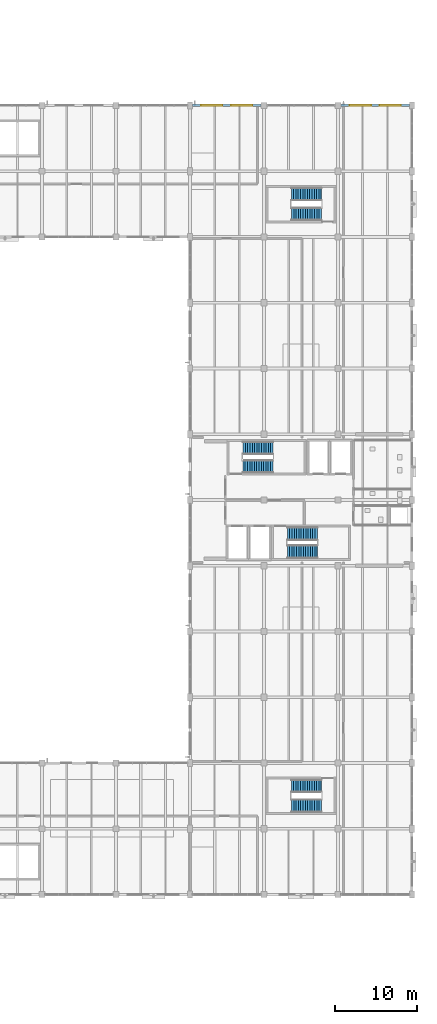
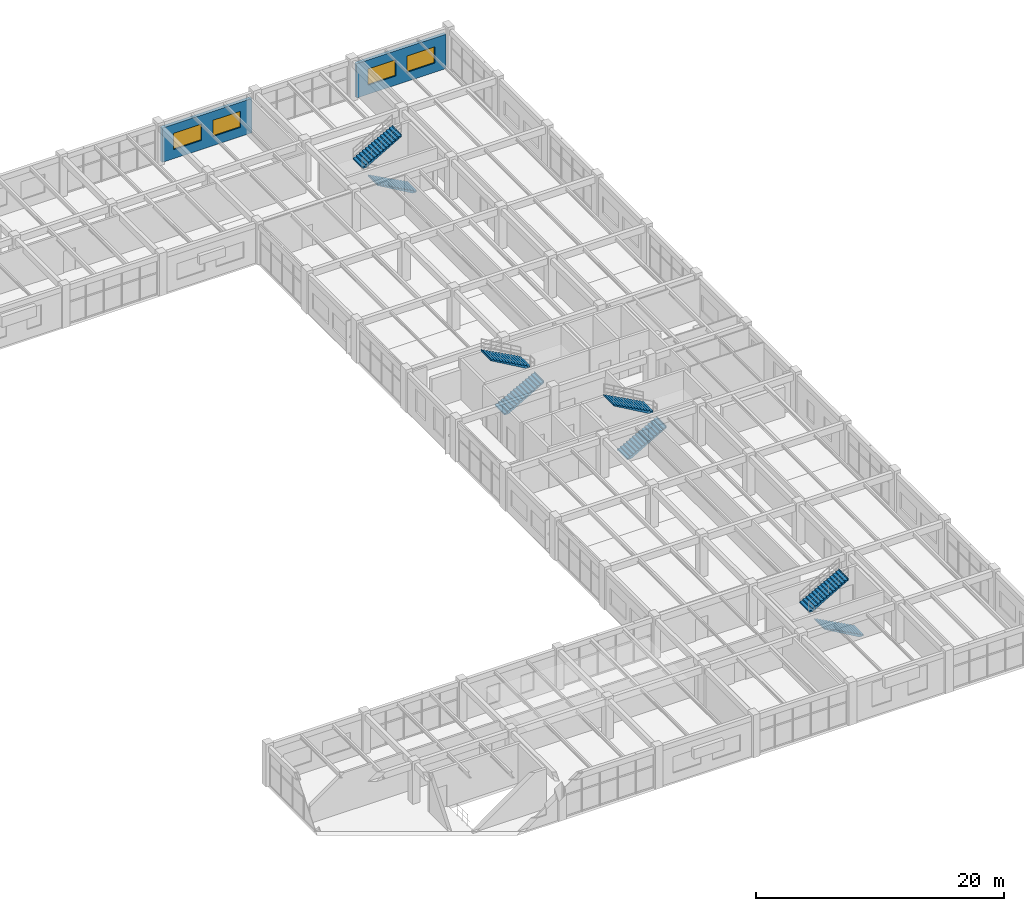
# One storey, part 114 of 128: 8 stair flights, 4 windows, 2 walls, 4 openings, 4 elements without a shape of their own.
"""IFC4 building model written with IfcOpenShell, lengths in metres."""

from ifc_helpers import new_model, si_unit, derived_unit, direction, frame, frame_2d, origin, place, context, subcontext, project, spatial, polyline, rectangle, outline, extrude, material, layer, layer_set, type_object, element, fill, aggregate, save


model = new_model("IFC4")

# Units and contexts
model_context = context("Model", 3, precision=1e-05, world=origin(), true_north=direction((0.0, 1.0)))
body_context = subcontext(model_context, "Body", "Model", "MODEL_VIEW")
ifc_project = project(units=[si_unit("LENGTHUNIT", "METRE"), si_unit("AREAUNIT", "SQUARE_METRE"), si_unit("VOLUMEUNIT", "CUBIC_METRE"), si_unit("PLANEANGLEUNIT", "RADIAN"), si_unit("MASSUNIT", "GRAM", prefix="KILO"), derived_unit("THERMALTRANSMITTANCEUNIT", [(si_unit("MASSUNIT", "GRAM", prefix="KILO"), 1), (si_unit("TIMEUNIT", "SECOND"), -3), (si_unit("THERMODYNAMICTEMPERATUREUNIT", "KELVIN"), -1)])], contexts=[model_context])

# Site, building, storey
site_placement = place(None, origin())
site = spatial("IfcSite", under=ifc_project, at=site_placement, CompositionType="ELEMENT")
building_placement = place(site_placement, origin())
building = spatial("IfcBuilding", under=site, at=building_placement, Name="Zhenchuan Archway Interchange", CompositionType="ELEMENT")
storey_placement = place(building_placement, frame((0.0, 0.0, 14.39990234375)))
storey = spatial("IfcBuildingStorey", under=building, at=storey_placement, Name="L03", CompositionType="ELEMENT", Elevation=14.39990234375)

# Wall, openings, windows
ifc_material_1 = material(Name="Terracotta Masonry", Category="masonry")
ifc_layer = layer(ifc_material_1, 0.300048828125)
ifc_layer_set = layer_set([ifc_layer], Name="Terracotta Masonry")
wall_type = type_object("IfcWallType", Name="EW_TERRA_300", PredefinedType="STANDARD", material=ifc_layer_set)
wall_1_placement = place(storey_placement, frame((144.298095703125, 104.0, 0.0), z_axis=(0.0, 0.0, 1.0), x_axis=(1.0, 0.0, 0.0)))
wall_1 = element("IfcWall", 1, at=wall_1_placement, inside=storey, type_object=wall_type, Name="Exterior wall L03-023", PredefinedType="STANDARD", context=body_context, shape_type="SweptSolid", body=[
    extrude(rectangle(XDim=8.328857421875, YDim=0.300048828125, at=frame_2d((4.16455078125, 0.0))), origin(), (0.0, 0.0, 1.0), 3.380126953125),
])
opening_1_placement = place(wall_1_placement, frame((1.04296875, 0.0, 0.89990234375)))
opening_1 = element("IfcOpeningElement", 2, at=opening_1_placement, cuts=wall_1, Name="Opening W-09", PredefinedType="OPENING", context=body_context, shape_type="SweptSolid", body=[
    extrude(rectangle(XDim=2.60009765625, YDim=1.60009765625, at=frame_2d((1.300048828125, 0.800048828125))), frame((0.0, 0.162109375, 0.0), z_axis=(0.0, -1.0, 0.0), x_axis=(1.0, 0.0, 0.0)), (0.0, 0.0, 1.0), 0.323974609375),
])
opening_2_placement = place(wall_1_placement, frame((4.68603515625, 0.0, 0.89990234375)))
opening_2 = element("IfcOpeningElement", 3, at=opening_2_placement, cuts=wall_1, Name="Opening W-09", PredefinedType="OPENING", context=body_context, shape_type="SweptSolid", body=[
    extrude(rectangle(XDim=2.60009765625, YDim=1.60009765625, at=frame_2d((1.300048828125, 0.800048828125))), frame((0.0, 0.162109375, 0.0), z_axis=(0.0, -1.0, 0.0), x_axis=(1.0, 0.0, 0.0)), (0.0, 0.0, 1.0), 0.323974609375),
])
ifc_material_2 = material(Name="Double Low-E Insulated Glazing", Category="glass")
window_type = type_object("IfcWindowType", Name="WN_MOD_2600x1600", PartitioningType="SINGLE_PANEL", PredefinedType="WINDOW", material=ifc_material_2)
window_1_placement = place(opening_1_placement, origin())
window_1 = element("IfcWindow", 4, at=window_1_placement, inside=storey, type_object=window_type, Name="Window L03-0285", OverallHeight=1.60009765625, OverallWidth=2.60009765625, PartitioningType="SINGLE_PANEL", PredefinedType="WINDOW", context=body_context, shape_type="SweptSolid", body=[
    extrude(rectangle(XDim=2.60009765625, YDim=1.60009765625, at=frame_2d((1.300048828125, 0.800048828125))), frame((0.0, 0.030029296875, 0.0), z_axis=(0.0, -1.0, 0.0), x_axis=(1.0, 0.0, 0.0)), (0.0, 0.0, 1.0), 0.06005859375),
])
fill(opening_1, window_1)
window_2_placement = place(opening_2_placement, origin())
window_2 = element("IfcWindow", 5, at=window_2_placement, inside=storey, type_object=window_type, Name="Window L03-0286", OverallHeight=1.60009765625, OverallWidth=2.60009765625, PartitioningType="SINGLE_PANEL", PredefinedType="WINDOW", context=body_context, shape_type="SweptSolid", body=[
    extrude(rectangle(XDim=2.60009765625, YDim=1.60009765625, at=frame_2d((1.300048828125, 0.800048828125))), frame((0.0, 0.030029296875, 0.0), z_axis=(0.0, -1.0, 0.0), x_axis=(1.0, 0.0, 0.0)), (0.0, 0.0, 1.0), 0.06005859375),
])
fill(opening_2, window_2)

wall_2_placement = place(storey_placement, frame((162.373046875, 104.0, 0.0), z_axis=(0.0, 0.0, 1.0), x_axis=(1.0, 0.0, 0.0)))
wall_2 = element("IfcWall", 6, at=wall_2_placement, inside=storey, type_object=wall_type, Name="Exterior wall L03-025", PredefinedType="STANDARD", context=body_context, shape_type="SweptSolid", body=[
    extrude(rectangle(XDim=8.328857421875, YDim=0.300048828125, at=frame_2d((4.16455078125, 0.0))), origin(), (0.0, 0.0, 1.0), 3.380126953125),
])
opening_3_placement = place(wall_2_placement, frame((1.04296875, 0.0, 0.89990234375)))
opening_3 = element("IfcOpeningElement", 7, at=opening_3_placement, cuts=wall_2, Name="Opening W-09", PredefinedType="OPENING", context=body_context, shape_type="SweptSolid", body=[
    extrude(rectangle(XDim=2.60009765625, YDim=1.60009765625, at=frame_2d((1.300048828125, 0.800048828125))), frame((0.0, 0.162109375, 0.0), z_axis=(0.0, -1.0, 0.0), x_axis=(1.0, 0.0, 0.0)), (0.0, 0.0, 1.0), 0.323974609375),
])
opening_4_placement = place(wall_2_placement, frame((4.68603515625, 0.0, 0.89990234375)))
opening_4 = element("IfcOpeningElement", 8, at=opening_4_placement, cuts=wall_2, Name="Opening W-09", PredefinedType="OPENING", context=body_context, shape_type="SweptSolid", body=[
    extrude(rectangle(XDim=2.60009765625, YDim=1.60009765625, at=frame_2d((1.300048828125, 0.800048828125))), frame((0.0, 0.162109375, 0.0), z_axis=(0.0, -1.0, 0.0), x_axis=(1.0, 0.0, 0.0)), (0.0, 0.0, 1.0), 0.323974609375),
])
window_3_placement = place(opening_3_placement, origin())
window_3 = element("IfcWindow", 9, at=window_3_placement, inside=storey, type_object=window_type, Name="Window L03-0287", OverallHeight=1.60009765625, OverallWidth=2.60009765625, PartitioningType="SINGLE_PANEL", PredefinedType="WINDOW", context=body_context, shape_type="SweptSolid", body=[
    extrude(rectangle(XDim=2.60009765625, YDim=1.60009765625, at=frame_2d((1.300048828125, 0.800048828125))), frame((0.0, 0.030029296875, 0.0), z_axis=(0.0, -1.0, 0.0), x_axis=(1.0, 0.0, 0.0)), (0.0, 0.0, 1.0), 0.06005859375),
])
fill(opening_3, window_3)
window_4_placement = place(opening_4_placement, origin())
window_4 = element("IfcWindow", 10, at=window_4_placement, inside=storey, type_object=window_type, Name="Window L03-0288", OverallHeight=1.60009765625, OverallWidth=2.60009765625, PartitioningType="SINGLE_PANEL", PredefinedType="WINDOW", context=body_context, shape_type="SweptSolid", body=[
    extrude(rectangle(XDim=2.60009765625, YDim=1.60009765625, at=frame_2d((1.300048828125, 0.800048828125))), frame((0.0, 0.030029296875, 0.0), z_axis=(0.0, -1.0, 0.0), x_axis=(1.0, 0.0, 0.0)), (0.0, 0.0, 1.0), 0.06005859375),
])
fill(opening_4, window_4)

# Stair, stair flights
ifc_material_3 = material(Name="Concrete C35", Category="concrete")
stair_type_1 = type_object("IfcStairType", Name="STR_HALF_1550", PredefinedType="HALF_TURN_STAIR", material=ifc_material_3)
stair_1_placement = place(storey_placement, origin())
stair_1 = element("IfcStair", 11, at=stair_1_placement, inside=storey, type_object=stair_type_1, Name="Stair ST-O1 (L03)", PredefinedType="HALF_TURN_STAIR")
stair_flight_type_1 = type_object("IfcStairFlightType", Name="SFL_1550", PredefinedType="STRAIGHT", material=ifc_material_3)
stair_flight_1_placement = place(storey_placement, frame((150.42431640625, 60.090087890625, 0.0), z_axis=(0.0, 0.0, 1.0), x_axis=(1.0, 0.0, 0.0)))
stair_flight_1 = element("IfcStairFlight", 12, at=stair_flight_1_placement, type_object=stair_flight_type_1, Name="Stair ST-O1 lower flight (L03)", NumberOfRisers=14, NumberOfTreads=13, PredefinedType="STRAIGHT", RiserHeight=0.15, TreadLength=0.28, context=body_context, shape_type="SweptSolid", body=[
    extrude(outline(polyline([(0.0, 0.0), (0.0, 0.14990234375), (0.280029296875, 0.14990234375), (0.280029296875, 0.300048828125), (0.56005859375, 0.300048828125), (0.56005859375, 0.449951171875), (0.840087890625, 0.449951171875), (0.840087890625, 0.60009765625), (1.1201171875, 0.60009765625), (1.1201171875, 0.75), (1.39990234375, 0.75), (1.39990234375, 0.89990234375), (1.679931640625, 0.89990234375), (1.679931640625, 1.050048828125), (1.9599609375, 1.050048828125), (1.9599609375, 1.199951171875), (2.239990234375, 1.199951171875), (2.239990234375, 1.35009765625), (2.52001953125, 1.35009765625), (2.52001953125, 1.5), (2.800048828125, 1.5), (2.800048828125, 1.64990234375), (3.080078125, 1.64990234375), (3.080078125, 1.800048828125), (3.360107421875, 1.800048828125), (3.360107421875, 1.949951171875), (3.639892578125, 1.949951171875), (3.639892578125, 2.10009765625), (3.6611328125, 2.10009765625), (3.6611328125, 1.89599609375), (0.381103515625, 0.0), (0.0, 0.0)])), frame((0.0, 0.77490234375, 0.0), z_axis=(0.0, -1.0, 0.0), x_axis=(1.0, 0.0, 0.0)), (0.0, 0.0, 1.0), 1.550048828125),
])
stair_flight_2_placement = place(storey_placement, frame((154.085693359375, 62.31005859375, 2.10009765625), z_axis=(0.0, 0.0, 1.0), x_axis=(-1.0, 0.0, 0.0)))
stair_flight_2 = element("IfcStairFlight", 13, at=stair_flight_2_placement, type_object=stair_flight_type_1, Name="Stair ST-O1 upper flight (L03)", NumberOfRisers=14, NumberOfTreads=13, PredefinedType="STRAIGHT", RiserHeight=0.15, TreadLength=0.28, context=body_context, shape_type="SweptSolid", body=[
    extrude(outline(polyline([(0.0, 0.0), (0.0, 0.14990234375), (0.280029296875, 0.14990234375), (0.280029296875, 0.300048828125), (0.56005859375, 0.300048828125), (0.56005859375, 0.449951171875), (0.840087890625, 0.449951171875), (0.840087890625, 0.60009765625), (1.1201171875, 0.60009765625), (1.1201171875, 0.75), (1.39990234375, 0.75), (1.39990234375, 0.89990234375), (1.679931640625, 0.89990234375), (1.679931640625, 1.050048828125), (1.9599609375, 1.050048828125), (1.9599609375, 1.199951171875), (2.239990234375, 1.199951171875), (2.239990234375, 1.35009765625), (2.52001953125, 1.35009765625), (2.52001953125, 1.5), (2.800048828125, 1.5), (2.800048828125, 1.64990234375), (3.080078125, 1.64990234375), (3.080078125, 1.800048828125), (3.360107421875, 1.800048828125), (3.360107421875, 1.949951171875), (3.639892578125, 1.949951171875), (3.639892578125, 2.10009765625), (3.6611328125, 2.10009765625), (3.6611328125, 1.89599609375), (0.381103515625, 0.0), (0.0, 0.0)])), frame((0.0, 0.77490234375, 0.0), z_axis=(0.0, -1.0, 0.0), x_axis=(1.0, 0.0, 0.0)), (0.0, 0.0, 1.0), 1.550048828125),
])
aggregate(stair_1, [stair_flight_1, stair_flight_2])

stair_2_placement = place(storey_placement, origin())
stair_2 = element("IfcStair", 14, at=stair_2_placement, inside=storey, type_object=stair_type_1, Name="Stair ST-O3 (L03)", PredefinedType="HALF_TURN_STAIR")
stair_flight_3_placement = place(storey_placement, frame((159.9755859375, 90.7900390625, 0.0), z_axis=(0.0, 0.0, 1.0), x_axis=(-1.0, 0.0, 0.0)))
stair_flight_3 = element("IfcStairFlight", 15, at=stair_flight_3_placement, type_object=stair_flight_type_1, Name="Stair ST-O3 lower flight (L03)", NumberOfRisers=14, NumberOfTreads=13, PredefinedType="STRAIGHT", RiserHeight=0.15, TreadLength=0.28, context=body_context, shape_type="SweptSolid", body=[
    extrude(outline(polyline([(0.0, 0.0), (0.0, 0.14990234375), (0.280029296875, 0.14990234375), (0.280029296875, 0.300048828125), (0.56005859375, 0.300048828125), (0.56005859375, 0.449951171875), (0.840087890625, 0.449951171875), (0.840087890625, 0.60009765625), (1.1201171875, 0.60009765625), (1.1201171875, 0.75), (1.39990234375, 0.75), (1.39990234375, 0.89990234375), (1.679931640625, 0.89990234375), (1.679931640625, 1.050048828125), (1.9599609375, 1.050048828125), (1.9599609375, 1.199951171875), (2.239990234375, 1.199951171875), (2.239990234375, 1.35009765625), (2.52001953125, 1.35009765625), (2.52001953125, 1.5), (2.800048828125, 1.5), (2.800048828125, 1.64990234375), (3.080078125, 1.64990234375), (3.080078125, 1.800048828125), (3.360107421875, 1.800048828125), (3.360107421875, 1.949951171875), (3.639892578125, 1.949951171875), (3.639892578125, 2.10009765625), (3.6611328125, 2.10009765625), (3.6611328125, 1.89599609375), (0.381103515625, 0.0), (0.0, 0.0)])), frame((0.0, 0.77490234375, 0.0), z_axis=(0.0, -1.0, 0.0), x_axis=(1.0, 0.0, 0.0)), (0.0, 0.0, 1.0), 1.550048828125),
])
stair_flight_4_placement = place(storey_placement, frame((156.314453125, 93.2099609375, 2.10009765625), z_axis=(0.0, 0.0, 1.0), x_axis=(1.0, 0.0, 0.0)))
stair_flight_4 = element("IfcStairFlight", 16, at=stair_flight_4_placement, type_object=stair_flight_type_1, Name="Stair ST-O3 upper flight (L03)", NumberOfRisers=14, NumberOfTreads=13, PredefinedType="STRAIGHT", RiserHeight=0.15, TreadLength=0.28, context=body_context, shape_type="SweptSolid", body=[
    extrude(outline(polyline([(0.0, 0.0), (0.0, 0.14990234375), (0.280029296875, 0.14990234375), (0.280029296875, 0.300048828125), (0.56005859375, 0.300048828125), (0.56005859375, 0.449951171875), (0.840087890625, 0.449951171875), (0.840087890625, 0.60009765625), (1.1201171875, 0.60009765625), (1.1201171875, 0.75), (1.39990234375, 0.75), (1.39990234375, 0.89990234375), (1.679931640625, 0.89990234375), (1.679931640625, 1.050048828125), (1.9599609375, 1.050048828125), (1.9599609375, 1.199951171875), (2.239990234375, 1.199951171875), (2.239990234375, 1.35009765625), (2.52001953125, 1.35009765625), (2.52001953125, 1.5), (2.800048828125, 1.5), (2.800048828125, 1.64990234375), (3.080078125, 1.64990234375), (3.080078125, 1.800048828125), (3.360107421875, 1.800048828125), (3.360107421875, 1.949951171875), (3.639892578125, 1.949951171875), (3.639892578125, 2.10009765625), (3.6611328125, 2.10009765625), (3.6611328125, 1.89599609375), (0.381103515625, 0.0), (0.0, 0.0)])), frame((0.0, 0.77490234375, 0.0), z_axis=(0.0, -1.0, 0.0), x_axis=(1.0, 0.0, 0.0)), (0.0, 0.0, 1.0), 1.550048828125),
])
aggregate(stair_2, [stair_flight_3, stair_flight_4])

stair_3_placement = place(storey_placement, origin())
stair_3 = element("IfcStair", 17, at=stair_3_placement, inside=storey, type_object=stair_type_1, Name="Stair ST-O4 (L03)", PredefinedType="HALF_TURN_STAIR")
stair_flight_5_placement = place(storey_placement, frame((159.9755859375, 18.7900390625, 0.0), z_axis=(0.0, 0.0, 1.0), x_axis=(-1.0, 0.0, 0.0)))
stair_flight_5 = element("IfcStairFlight", 18, at=stair_flight_5_placement, type_object=stair_flight_type_1, Name="Stair ST-O4 lower flight (L03)", NumberOfRisers=14, NumberOfTreads=13, PredefinedType="STRAIGHT", RiserHeight=0.15, TreadLength=0.28, context=body_context, shape_type="SweptSolid", body=[
    extrude(outline(polyline([(0.0, 0.0), (0.0, 0.14990234375), (0.280029296875, 0.14990234375), (0.280029296875, 0.300048828125), (0.56005859375, 0.300048828125), (0.56005859375, 0.449951171875), (0.840087890625, 0.449951171875), (0.840087890625, 0.60009765625), (1.1201171875, 0.60009765625), (1.1201171875, 0.75), (1.39990234375, 0.75), (1.39990234375, 0.89990234375), (1.679931640625, 0.89990234375), (1.679931640625, 1.050048828125), (1.9599609375, 1.050048828125), (1.9599609375, 1.199951171875), (2.239990234375, 1.199951171875), (2.239990234375, 1.35009765625), (2.52001953125, 1.35009765625), (2.52001953125, 1.5), (2.800048828125, 1.5), (2.800048828125, 1.64990234375), (3.080078125, 1.64990234375), (3.080078125, 1.800048828125), (3.360107421875, 1.800048828125), (3.360107421875, 1.949951171875), (3.639892578125, 1.949951171875), (3.639892578125, 2.10009765625), (3.6611328125, 2.10009765625), (3.6611328125, 1.89599609375), (0.381103515625, 0.0), (0.0, 0.0)])), frame((0.0, 0.77490234375, 0.0), z_axis=(0.0, -1.0, 0.0), x_axis=(1.0, 0.0, 0.0)), (0.0, 0.0, 1.0), 1.550048828125),
])
stair_flight_6_placement = place(storey_placement, frame((156.314453125, 21.2099609375, 2.10009765625), z_axis=(0.0, 0.0, 1.0), x_axis=(1.0, 0.0, 0.0)))
stair_flight_6 = element("IfcStairFlight", 19, at=stair_flight_6_placement, type_object=stair_flight_type_1, Name="Stair ST-O4 upper flight (L03)", NumberOfRisers=14, NumberOfTreads=13, PredefinedType="STRAIGHT", RiserHeight=0.15, TreadLength=0.28, context=body_context, shape_type="SweptSolid", body=[
    extrude(outline(polyline([(0.0, 0.0), (0.0, 0.14990234375), (0.280029296875, 0.14990234375), (0.280029296875, 0.300048828125), (0.56005859375, 0.300048828125), (0.56005859375, 0.449951171875), (0.840087890625, 0.449951171875), (0.840087890625, 0.60009765625), (1.1201171875, 0.60009765625), (1.1201171875, 0.75), (1.39990234375, 0.75), (1.39990234375, 0.89990234375), (1.679931640625, 0.89990234375), (1.679931640625, 1.050048828125), (1.9599609375, 1.050048828125), (1.9599609375, 1.199951171875), (2.239990234375, 1.199951171875), (2.239990234375, 1.35009765625), (2.52001953125, 1.35009765625), (2.52001953125, 1.5), (2.800048828125, 1.5), (2.800048828125, 1.64990234375), (3.080078125, 1.64990234375), (3.080078125, 1.800048828125), (3.360107421875, 1.800048828125), (3.360107421875, 1.949951171875), (3.639892578125, 1.949951171875), (3.639892578125, 2.10009765625), (3.6611328125, 2.10009765625), (3.6611328125, 1.89599609375), (0.381103515625, 0.0), (0.0, 0.0)])), frame((0.0, 0.77490234375, 0.0), z_axis=(0.0, -1.0, 0.0), x_axis=(1.0, 0.0, 0.0)), (0.0, 0.0, 1.0), 1.550048828125),
])
aggregate(stair_3, [stair_flight_5, stair_flight_6])

stair_type_2 = type_object("IfcStairType", Name="STR_HALF_1600", PredefinedType="HALF_TURN_STAIR", material=ifc_material_3)
stair_4_placement = place(storey_placement, origin())
stair_4 = element("IfcStair", 20, at=stair_4_placement, inside=storey, type_object=stair_type_2, Name="Stair ST-O2 (L03)", PredefinedType="HALF_TURN_STAIR")
stair_flight_type_2 = type_object("IfcStairFlightType", Name="SFL_1600", PredefinedType="STRAIGHT", material=ifc_material_3)
stair_flight_7_placement = place(storey_placement, frame((155.824462890625, 49.715087890625, 0.0), z_axis=(0.0, 0.0, 1.0), x_axis=(1.0, 0.0, 0.0)))
stair_flight_7 = element("IfcStairFlight", 21, at=stair_flight_7_placement, type_object=stair_flight_type_2, Name="Stair ST-O2 lower flight (L03)", NumberOfRisers=14, NumberOfTreads=13, PredefinedType="STRAIGHT", RiserHeight=0.15, TreadLength=0.28, context=body_context, shape_type="SweptSolid", body=[
    extrude(outline(polyline([(0.0, 0.0), (0.0, 0.14990234375), (0.280029296875, 0.14990234375), (0.280029296875, 0.300048828125), (0.56005859375, 0.300048828125), (0.56005859375, 0.449951171875), (0.840087890625, 0.449951171875), (0.840087890625, 0.60009765625), (1.1201171875, 0.60009765625), (1.1201171875, 0.75), (1.39990234375, 0.75), (1.39990234375, 0.89990234375), (1.679931640625, 0.89990234375), (1.679931640625, 1.050048828125), (1.9599609375, 1.050048828125), (1.9599609375, 1.199951171875), (2.239990234375, 1.199951171875), (2.239990234375, 1.35009765625), (2.52001953125, 1.35009765625), (2.52001953125, 1.5), (2.800048828125, 1.5), (2.800048828125, 1.64990234375), (3.080078125, 1.64990234375), (3.080078125, 1.800048828125), (3.360107421875, 1.800048828125), (3.360107421875, 1.949951171875), (3.639892578125, 1.949951171875), (3.639892578125, 2.10009765625), (3.6611328125, 2.10009765625), (3.6611328125, 1.89599609375), (0.381103515625, 0.0), (0.0, 0.0)])), frame((0.0, 0.800048828125, 0.0), z_axis=(0.0, -1.0, 0.0), x_axis=(1.0, 0.0, 0.0)), (0.0, 0.0, 1.0), 1.60009765625),
])
stair_flight_8_placement = place(storey_placement, frame((159.485595703125, 51.885009765625, 2.10009765625), z_axis=(0.0, 0.0, 1.0), x_axis=(-1.0, 0.0, 0.0)))
stair_flight_8 = element("IfcStairFlight", 22, at=stair_flight_8_placement, type_object=stair_flight_type_2, Name="Stair ST-O2 upper flight (L03)", NumberOfRisers=14, NumberOfTreads=13, PredefinedType="STRAIGHT", RiserHeight=0.15, TreadLength=0.28, context=body_context, shape_type="SweptSolid", body=[
    extrude(outline(polyline([(0.0, 0.0), (0.0, 0.14990234375), (0.280029296875, 0.14990234375), (0.280029296875, 0.300048828125), (0.56005859375, 0.300048828125), (0.56005859375, 0.449951171875), (0.840087890625, 0.449951171875), (0.840087890625, 0.60009765625), (1.1201171875, 0.60009765625), (1.1201171875, 0.75), (1.39990234375, 0.75), (1.39990234375, 0.89990234375), (1.679931640625, 0.89990234375), (1.679931640625, 1.050048828125), (1.9599609375, 1.050048828125), (1.9599609375, 1.199951171875), (2.239990234375, 1.199951171875), (2.239990234375, 1.35009765625), (2.52001953125, 1.35009765625), (2.52001953125, 1.5), (2.800048828125, 1.5), (2.800048828125, 1.64990234375), (3.080078125, 1.64990234375), (3.080078125, 1.800048828125), (3.360107421875, 1.800048828125), (3.360107421875, 1.949951171875), (3.639892578125, 1.949951171875), (3.639892578125, 2.10009765625), (3.6611328125, 2.10009765625), (3.6611328125, 1.89599609375), (0.381103515625, 0.0), (0.0, 0.0)])), frame((0.0, 0.800048828125, 0.0), z_axis=(0.0, -1.0, 0.0), x_axis=(1.0, 0.0, 0.0)), (0.0, 0.0, 1.0), 1.60009765625),
])
aggregate(stair_4, [stair_flight_7, stair_flight_8])

save(model, "model.ifc")
